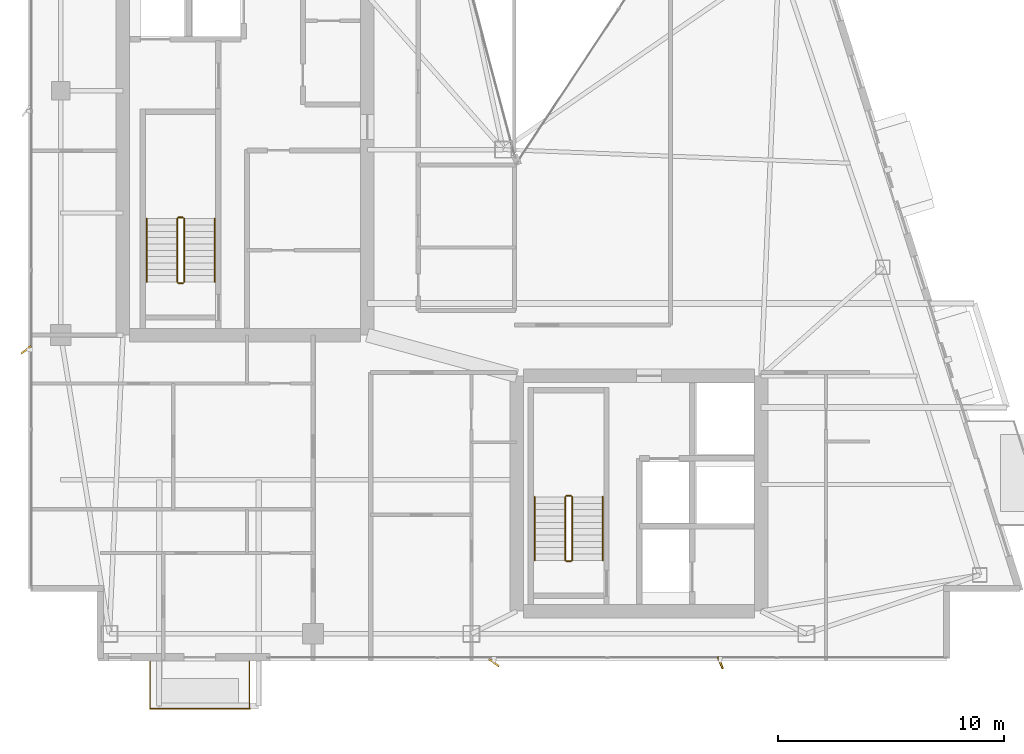
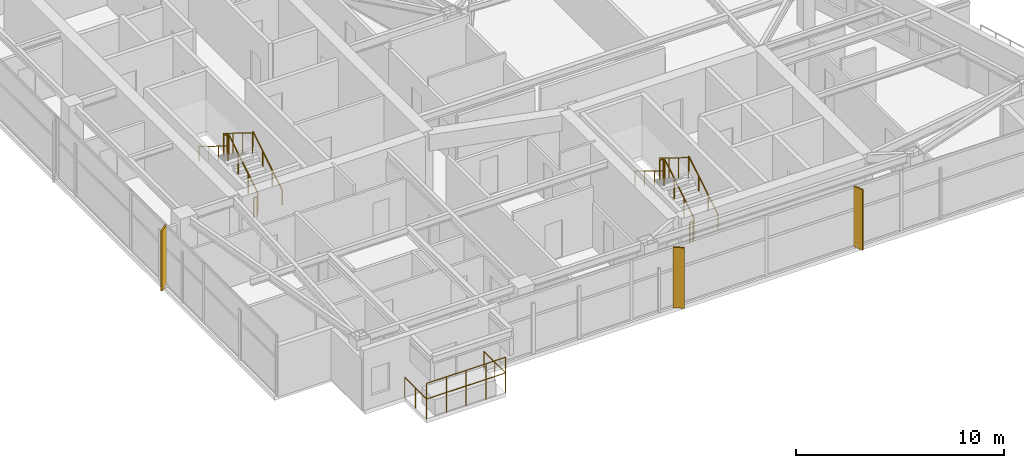
# One storey, part 27 of 28: 14 railings, 3 shading devices.
"""IFC4 building model written with IfcOpenShell, lengths in metres."""

from ifc_helpers import new_model, si_unit, direction, frame, origin, origin_2d, place, context, subcontext, project, spatial, rectangle, circle, extrude, material, type_object, element, save


model = new_model("IFC4")

# Units and contexts
model_context = context("Model", 3, precision=1e-05, world=origin(), true_north=direction((0.0, 1.0)))
body_context = subcontext(model_context, "Body", "Model", "MODEL_VIEW")
ifc_project = project(units=[si_unit("LENGTHUNIT", "METRE"), si_unit("AREAUNIT", "SQUARE_METRE"), si_unit("VOLUMEUNIT", "CUBIC_METRE"), si_unit("PLANEANGLEUNIT", "RADIAN"), si_unit("MASSUNIT", "GRAM", prefix="KILO")], contexts=[model_context])

# Site, building, storey
site_placement = place(None, origin())
site = spatial("IfcSite", under=ifc_project, at=site_placement, CompositionType="ELEMENT")
building_placement = place(site_placement, origin())
building = spatial("IfcBuilding", under=site, at=building_placement, Name="Calvorn Quay Hotel", CompositionType="ELEMENT")
storey_placement = place(building_placement, frame((0.0, 0.0, 267.300048828125)))
storey = spatial("IfcBuildingStorey", under=building, at=storey_placement, Name="L66", CompositionType="ELEMENT", Elevation=267.300048828125)

# Railings
ifc_material_1 = material(Name="Pale Anodised Aluminium and Laminated Glass", Category="aluminium")
railing_type_1 = type_object("IfcRailingType", Name="RLG-BALUSTRADE-1200", PredefinedType="BALUSTRADE", material=ifc_material_1)
railing_1_placement = place(storey_placement, frame((5.39990234375, 2.389892578125, 0.0)))
element("IfcRailing", 1, at=railing_1_placement, inside=storey, type_object=railing_type_1, Name="Tree Balcony Perimeter Balustrade L66-BALC-S", PredefinedType="BALUSTRADE", context=body_context, shape_type="SweptSolid", body=[
    extrude(circle(Radius=0.02392578125, at=origin_2d()), frame((0.0, 0.0, 1.17578125), z_axis=(0.0, -1.0, 0.0), x_axis=(1.0, 0.0, 0.0)), (0.0, 0.0, 1.0), 2.099853515625),
    extrude(circle(Radius=0.02392578125, at=origin_2d()), frame((0.0, -2.099853515625, 1.17578125), z_axis=(1.0, 0.0, 0.0), x_axis=(0.0, 1.0, 0.0)), (0.0, 0.0, 1.0), 4.400146484375),
    extrude(circle(Radius=0.02392578125, at=origin_2d()), frame((4.400146484375, -2.099853515625, 1.17578125), z_axis=(0.0, 1.0, 0.0), x_axis=(-1.0, 0.0, 0.0)), (0.0, 0.0, 1.0), 2.099853515625),
    extrude(circle(Radius=0.02099609375, at=origin_2d()), origin(), (0.0, 0.0, 1.0), 1.15185546875),
    extrude(circle(Radius=0.02099609375, at=origin_2d()), frame((0.0, -1.0498046875, 0.0)), (0.0, 0.0, 1.0), 1.15185546875),
    extrude(circle(Radius=0.02099609375, at=origin_2d()), frame((0.0, -2.099853515625, 0.0)), (0.0, 0.0, 1.0), 1.15185546875),
    extrude(circle(Radius=0.02099609375, at=origin_2d()), frame((1.10009765625, -2.099853515625, 0.0)), (0.0, 0.0, 1.0), 1.15185546875),
    extrude(circle(Radius=0.02099609375, at=origin_2d()), frame((2.2001953125, -2.099853515625, 0.0)), (0.0, 0.0, 1.0), 1.15185546875),
    extrude(circle(Radius=0.02099609375, at=origin_2d()), frame((3.300048828125, -2.099853515625, 0.0)), (0.0, 0.0, 1.0), 1.15185546875),
    extrude(circle(Radius=0.02099609375, at=origin_2d()), frame((4.400146484375, -2.099853515625, 0.0)), (0.0, 0.0, 1.0), 1.15185546875),
    extrude(circle(Radius=0.02099609375, at=origin_2d()), frame((4.400146484375, -1.0498046875, 0.0)), (0.0, 0.0, 1.0), 1.15185546875),
    extrude(circle(Radius=0.02099609375, at=origin_2d()), frame((4.400146484375, 0.0, 0.0)), (0.0, 0.0, 1.0), 1.15185546875),
])
railing_2_placement = place(storey_placement, frame((5.39990234375, 0.2900390625, 0.89990234375)))
element("IfcRailing", 2, at=railing_2_placement, inside=storey, type_object=railing_type_1, Name="Planter Kerb High Safety Screen L66-BALC-S", PredefinedType="BALUSTRADE", context=body_context, shape_type="SweptSolid", body=[
    extrude(circle(Radius=0.02392578125, at=origin_2d()), frame((0.0, 0.0, 1.19580078125), z_axis=(1.0, 0.0, 0.0), x_axis=(0.0, 1.0, 0.0)), (0.0, 0.0, 1.0), 4.400146484375),
    extrude(circle(Radius=0.02099609375, at=origin_2d()), origin(), (0.0, 0.0, 1.0), 1.171875),
    extrude(circle(Radius=0.02099609375, at=origin_2d()), frame((1.10009765625, 0.0, 0.0)), (0.0, 0.0, 1.0), 1.171875),
    extrude(circle(Radius=0.02099609375, at=origin_2d()), frame((2.2001953125, 0.0, 0.0)), (0.0, 0.0, 1.0), 1.171875),
    extrude(circle(Radius=0.02099609375, at=origin_2d()), frame((3.300048828125, 0.0, 0.0)), (0.0, 0.0, 1.0), 1.171875),
    extrude(circle(Radius=0.02099609375, at=origin_2d()), frame((4.400146484375, 0.0, 0.0)), (0.0, 0.0, 1.0), 1.171875),
])
ifc_material_2 = material(Name="Brushed Stainless Steel Handrail", Category="steel")
railing_type_2 = type_object("IfcRailingType", Name="RLG-HANDRAIL-900", PredefinedType="HANDRAIL", material=ifc_material_2)
railing_3_placement = place(storey_placement, frame((8.25, 19.14990234375, 0.172607421875)))
element("IfcRailing", 3, at=railing_3_placement, inside=storey, type_object=railing_type_2, Name="L66 ST-W stair handrail 1", PredefinedType="HANDRAIL", context=body_context, shape_type="SweptSolid", body=[
    extrude(circle(Radius=0.02392578125, at=origin_2d()), frame((0.0, 0.0, 0.8759765625), z_axis=(0.0, 0.851089632645, 0.525020415988), x_axis=(-1.0, 0.0, 0.0)), (0.0, 0.0, 1.0), 3.2900390625),
    extrude(circle(Radius=0.02099609375, at=origin_2d()), origin(), (0.0, 0.0, 1.0), 0.851806640625),
    extrude(circle(Radius=0.02099609375, at=origin_2d()), frame((0.0, 0.933349609375, 0.57568359375)), (0.0, 0.0, 1.0), 0.851806640625),
    extrude(circle(Radius=0.02099609375, at=origin_2d()), frame((0.0, 1.86669921875, 1.151611328125)), (0.0, 0.0, 1.0), 0.851806640625),
    extrude(circle(Radius=0.02099609375, at=origin_2d()), frame((0.0, 2.800048828125, 1.727294921875)), (0.0, 0.0, 1.0), 0.851806640625),
])
railing_4_placement = place(storey_placement, frame((5.25, 21.949951171875, 2.07275390625)))
element("IfcRailing", 4, at=railing_4_placement, inside=storey, type_object=railing_type_2, Name="L66 ST-W stair handrail 2", PredefinedType="HANDRAIL", context=body_context, shape_type="SweptSolid", body=[
    extrude(circle(Radius=0.02392578125, at=origin_2d()), frame((0.0, 0.0, 0.8759765625), z_axis=(0.0, -0.851089632645, 0.525020415988), x_axis=(1.0, 0.0, 0.0)), (0.0, 0.0, 1.0), 3.2900390625),
    extrude(circle(Radius=0.02099609375, at=origin_2d()), origin(), (0.0, 0.0, 1.0), 0.851806640625),
    extrude(circle(Radius=0.02099609375, at=origin_2d()), frame((0.0, -0.933349609375, 0.57568359375)), (0.0, 0.0, 1.0), 0.851806640625),
    extrude(circle(Radius=0.02099609375, at=origin_2d()), frame((0.0, -1.86669921875, 1.151611328125)), (0.0, 0.0, 1.0), 0.851806640625),
    extrude(circle(Radius=0.02099609375, at=origin_2d()), frame((0.0, -2.800048828125, 1.727294921875)), (0.0, 0.0, 1.0), 0.851806640625),
])
railing_5_placement = place(storey_placement, frame((25.39990234375, 6.85009765625, 0.172607421875)))
element("IfcRailing", 5, at=railing_5_placement, inside=storey, type_object=railing_type_2, Name="L66 ST-E stair handrail 1", PredefinedType="HANDRAIL", context=body_context, shape_type="SweptSolid", body=[
    extrude(circle(Radius=0.02392578125, at=origin_2d()), frame((0.0, 0.0, 0.8759765625), z_axis=(0.0, 0.851069175582, 0.525053576669), x_axis=(-1.0, 0.0, 0.0)), (0.0, 0.0, 1.0), 3.289794921875),
    extrude(circle(Radius=0.02099609375, at=origin_2d()), origin(), (0.0, 0.0, 1.0), 0.851806640625),
    extrude(circle(Radius=0.02099609375, at=origin_2d()), frame((0.0, 0.933349609375, 0.57568359375)), (0.0, 0.0, 1.0), 0.851806640625),
    extrude(circle(Radius=0.02099609375, at=origin_2d()), frame((0.0, 1.866455078125, 1.151611328125)), (0.0, 0.0, 1.0), 0.851806640625),
    extrude(circle(Radius=0.02099609375, at=origin_2d()), frame((0.0, 2.7998046875, 1.727294921875)), (0.0, 0.0, 1.0), 0.851806640625),
])
railing_6_placement = place(storey_placement, frame((22.39990234375, 9.64990234375, 2.07275390625)))
element("IfcRailing", 6, at=railing_6_placement, inside=storey, type_object=railing_type_2, Name="L66 ST-E stair handrail 2", PredefinedType="HANDRAIL", context=body_context, shape_type="SweptSolid", body=[
    extrude(circle(Radius=0.02392578125, at=origin_2d()), frame((0.0, 0.0, 0.8759765625), z_axis=(0.0, -0.851069175582, 0.525053576669), x_axis=(1.0, 0.0, 0.0)), (0.0, 0.0, 1.0), 3.289794921875),
    extrude(circle(Radius=0.02099609375, at=origin_2d()), origin(), (0.0, 0.0, 1.0), 0.851806640625),
    extrude(circle(Radius=0.02099609375, at=origin_2d()), frame((0.0, -0.933349609375, 0.57568359375)), (0.0, 0.0, 1.0), 0.851806640625),
    extrude(circle(Radius=0.02099609375, at=origin_2d()), frame((0.0, -1.866455078125, 1.151611328125)), (0.0, 0.0, 1.0), 0.851806640625),
    extrude(circle(Radius=0.02099609375, at=origin_2d()), frame((0.0, -2.7998046875, 1.727294921875)), (0.0, 0.0, 1.0), 0.851806640625),
])
ifc_material_3 = material(Name="Painted Galvanised Steel Balustrade", Category="steel")
railing_type_3 = type_object("IfcRailingType", Name="RLG-STAIR-GUARD-1120", PredefinedType="GUARDRAIL", material=ifc_material_3)
railing_7_placement = place(storey_placement, frame((6.89990234375, 19.14990234375, 0.172607421875)))
element("IfcRailing", 7, at=railing_7_placement, inside=storey, type_object=railing_type_3, Name="L66 ST-W stair guard 1", PredefinedType="GUARDRAIL", context=body_context, shape_type="SweptSolid", body=[
    extrude(circle(Radius=0.02392578125, at=origin_2d()), frame((0.0, 0.0, 1.17578125), z_axis=(0.0, 0.851089632645, 0.525020415988), x_axis=(-1.0, 0.0, 0.0)), (0.0, 0.0, 1.0), 3.2900390625),
    extrude(circle(Radius=0.02099609375, at=origin_2d()), origin(), (0.0, 0.0, 1.0), 1.15185546875),
    extrude(circle(Radius=0.02099609375, at=origin_2d()), frame((0.0, 0.933349609375, 0.57568359375)), (0.0, 0.0, 1.0), 1.15185546875),
    extrude(circle(Radius=0.02099609375, at=origin_2d()), frame((0.0, 1.86669921875, 1.151611328125)), (0.0, 0.0, 1.0), 1.15185546875),
    extrude(circle(Radius=0.02099609375, at=origin_2d()), frame((0.0, 2.800048828125, 1.727294921875)), (0.0, 0.0, 1.0), 1.15185546875),
])
railing_8_placement = place(storey_placement, frame((6.85009765625, 22.0, 1.89990234375)))
element("IfcRailing", 8, at=railing_8_placement, inside=storey, type_object=railing_type_3, Name="L66 ST-W stair guard 2", PredefinedType="GUARDRAIL", context=body_context, shape_type="SweptSolid", body=[
    extrude(circle(Radius=0.02392578125, at=origin_2d()), frame((0.0, 0.0, 1.17578125), z_axis=(-1.0, 0.0, 0.0), x_axis=(0.0, -1.0, 0.0)), (0.0, 0.0, 1.0), 0.2001953125),
    extrude(circle(Radius=0.02099609375, at=origin_2d()), origin(), (0.0, 0.0, 1.0), 1.15185546875),
    extrude(circle(Radius=0.02099609375, at=origin_2d()), frame((-0.2001953125, 0.0, 0.0)), (0.0, 0.0, 1.0), 1.15185546875),
])
railing_9_placement = place(storey_placement, frame((6.60009765625, 21.949951171875, 2.07275390625)))
element("IfcRailing", 9, at=railing_9_placement, inside=storey, type_object=railing_type_3, Name="L66 ST-W stair guard 3", PredefinedType="GUARDRAIL", context=body_context, shape_type="SweptSolid", body=[
    extrude(circle(Radius=0.02392578125, at=origin_2d()), frame((0.0, 0.0, 1.17578125), z_axis=(0.0, -0.851089632645, 0.525020415988), x_axis=(1.0, 0.0, 0.0)), (0.0, 0.0, 1.0), 3.2900390625),
    extrude(circle(Radius=0.02099609375, at=origin_2d()), origin(), (0.0, 0.0, 1.0), 1.15185546875),
    extrude(circle(Radius=0.02099609375, at=origin_2d()), frame((0.0, -0.933349609375, 0.57568359375)), (0.0, 0.0, 1.0), 1.15185546875),
    extrude(circle(Radius=0.02099609375, at=origin_2d()), frame((0.0, -1.86669921875, 1.151611328125)), (0.0, 0.0, 1.0), 1.15185546875),
    extrude(circle(Radius=0.02099609375, at=origin_2d()), frame((0.0, -2.800048828125, 1.727294921875)), (0.0, 0.0, 1.0), 1.15185546875),
])
railing_10_placement = place(storey_placement, frame((6.85009765625, 19.10009765625, 0.0)))
element("IfcRailing", 10, at=railing_10_placement, inside=storey, type_object=railing_type_3, Name="L66 ST-W stair guard 4", PredefinedType="GUARDRAIL", context=body_context, shape_type="SweptSolid", body=[
    extrude(circle(Radius=0.02392578125, at=origin_2d()), frame((0.0, 0.0, 1.17578125), z_axis=(-1.0, 0.0, 0.0), x_axis=(0.0, -1.0, 0.0)), (0.0, 0.0, 1.0), 0.2001953125),
    extrude(circle(Radius=0.02099609375, at=origin_2d()), origin(), (0.0, 0.0, 1.0), 1.15185546875),
    extrude(circle(Radius=0.02099609375, at=origin_2d()), frame((-0.2001953125, 0.0, 0.0)), (0.0, 0.0, 1.0), 1.15185546875),
])
railing_11_placement = place(storey_placement, frame((24.050048828125, 6.85009765625, 0.172607421875)))
element("IfcRailing", 11, at=railing_11_placement, inside=storey, type_object=railing_type_3, Name="L66 ST-E stair guard 1", PredefinedType="GUARDRAIL", context=body_context, shape_type="SweptSolid", body=[
    extrude(circle(Radius=0.02392578125, at=origin_2d()), frame((0.0, 0.0, 1.17578125), z_axis=(0.0, 0.851069175582, 0.525053576669), x_axis=(-1.0, 0.0, 0.0)), (0.0, 0.0, 1.0), 3.289794921875),
    extrude(circle(Radius=0.02099609375, at=origin_2d()), origin(), (0.0, 0.0, 1.0), 1.15185546875),
    extrude(circle(Radius=0.02099609375, at=origin_2d()), frame((0.0, 0.933349609375, 0.57568359375)), (0.0, 0.0, 1.0), 1.15185546875),
    extrude(circle(Radius=0.02099609375, at=origin_2d()), frame((0.0, 1.866455078125, 1.151611328125)), (0.0, 0.0, 1.0), 1.15185546875),
    extrude(circle(Radius=0.02099609375, at=origin_2d()), frame((0.0, 2.7998046875, 1.727294921875)), (0.0, 0.0, 1.0), 1.15185546875),
])
railing_12_placement = place(storey_placement, frame((24.0, 9.699951171875, 1.89990234375)))
element("IfcRailing", 12, at=railing_12_placement, inside=storey, type_object=railing_type_3, Name="L66 ST-E stair guard 2", PredefinedType="GUARDRAIL", context=body_context, shape_type="SweptSolid", body=[
    extrude(circle(Radius=0.02392578125, at=origin_2d()), frame((0.0, 0.0, 1.17578125), z_axis=(-1.0, 0.0, 0.0), x_axis=(0.0, -1.0, 0.0)), (0.0, 0.0, 1.0), 0.199951171875),
    extrude(circle(Radius=0.02099609375, at=origin_2d()), origin(), (0.0, 0.0, 1.0), 1.15185546875),
    extrude(circle(Radius=0.02099609375, at=origin_2d()), frame((-0.199951171875, 0.0, 0.0)), (0.0, 0.0, 1.0), 1.15185546875),
])
railing_13_placement = place(storey_placement, frame((23.75, 9.64990234375, 2.07275390625)))
element("IfcRailing", 13, at=railing_13_placement, inside=storey, type_object=railing_type_3, Name="L66 ST-E stair guard 3", PredefinedType="GUARDRAIL", context=body_context, shape_type="SweptSolid", body=[
    extrude(circle(Radius=0.02392578125, at=origin_2d()), frame((0.0, 0.0, 1.17578125), z_axis=(0.0, -0.851069175582, 0.525053576669), x_axis=(1.0, 0.0, 0.0)), (0.0, 0.0, 1.0), 3.289794921875),
    extrude(circle(Radius=0.02099609375, at=origin_2d()), origin(), (0.0, 0.0, 1.0), 1.15185546875),
    extrude(circle(Radius=0.02099609375, at=origin_2d()), frame((0.0, -0.933349609375, 0.57568359375)), (0.0, 0.0, 1.0), 1.15185546875),
    extrude(circle(Radius=0.02099609375, at=origin_2d()), frame((0.0, -1.866455078125, 1.151611328125)), (0.0, 0.0, 1.0), 1.15185546875),
    extrude(circle(Radius=0.02099609375, at=origin_2d()), frame((0.0, -2.7998046875, 1.727294921875)), (0.0, 0.0, 1.0), 1.15185546875),
])
railing_14_placement = place(storey_placement, frame((24.0, 6.800048828125, 0.0)))
element("IfcRailing", 14, at=railing_14_placement, inside=storey, type_object=railing_type_3, Name="L66 ST-E stair guard 4", PredefinedType="GUARDRAIL", context=body_context, shape_type="SweptSolid", body=[
    extrude(circle(Radius=0.02392578125, at=origin_2d()), frame((0.0, 0.0, 1.17578125), z_axis=(-1.0, 0.0, 0.0), x_axis=(0.0, -1.0, 0.0)), (0.0, 0.0, 1.0), 0.199951171875),
    extrude(circle(Radius=0.02099609375, at=origin_2d()), origin(), (0.0, 0.0, 1.0), 1.15185546875),
    extrude(circle(Radius=0.02099609375, at=origin_2d()), frame((-0.199951171875, 0.0, 0.0)), (0.0, 0.0, 1.0), 1.15185546875),
])

# Shading devices
ifc_material_4 = material(Name="Champagne Bronze Anodised Aluminium 6063-T6", Category="aluminium")
shading_device_type_1 = type_object("IfcShadingDeviceType", Name="SHD-FIN-A1", PredefinedType="USERDEFINED", material=ifc_material_4)
shading_device_1_placement = place(storey_placement, frame((30.60009765625, 2.320068359375, 0.0), z_axis=(0.0, 0.0, 1.0), x_axis=(-0.374606593416, 0.927183854567, 0.0)))
element("IfcShadingDevice", 15, at=shading_device_1_placement, inside=storey, type_object=shading_device_type_1, Name="Diagonal Sun-Shading Fin L66-S02", ObjectType="FIN", PredefinedType="USERDEFINED", context=body_context, shape_type="SweptSolid", body=[
    extrude(rectangle(XDim=0.550048828125, YDim=0.080078125, at=origin_2d()), origin(), (0.0, 0.0, 1.0), 3.56005859375),
])
ifc_material_5 = material(Name="Champagne Bronze Anodised Aluminium 6063-T6", Category="aluminium")
shading_device_type_2 = type_object("IfcShadingDeviceType", Name="SHD-FIN-A2", PredefinedType="USERDEFINED", material=ifc_material_5)
shading_device_2_placement = place(storey_placement, frame((-0.080078125, 16.14990234375, 0.0), z_axis=(0.0, 0.0, 1.0), x_axis=(0.788010753607, 0.615661475326, 0.0)))
element("IfcShadingDevice", 16, at=shading_device_2_placement, inside=storey, type_object=shading_device_type_2, Name="Diagonal Sun-Shading Fin L66-W01", ObjectType="FIN", PredefinedType="USERDEFINED", context=body_context, shape_type="SweptSolid", body=[
    extrude(rectangle(XDim=0.550048828125, YDim=0.080078125, at=origin_2d()), origin(), (0.0, 0.0, 1.0), 3.56005859375),
])
ifc_material_6 = material(Name="Champagne Bronze Anodised Aluminium 6063-T6", Category="aluminium")
shading_device_type_3 = type_object("IfcShadingDeviceType", Name="SHD-FIN-A3", PredefinedType="USERDEFINED", material=ifc_material_6)
shading_device_3_placement = place(storey_placement, frame((20.60009765625, 2.320068359375, 0.0), z_axis=(0.0, 0.0, 1.0), x_axis=(-0.809016994375, 0.587785252292, 0.0)))
element("IfcShadingDevice", 17, at=shading_device_3_placement, inside=storey, type_object=shading_device_type_3, Name="Diagonal Sun-Shading Fin L66-S01", ObjectType="FIN", PredefinedType="USERDEFINED", context=body_context, shape_type="SweptSolid", body=[
    extrude(rectangle(XDim=0.550048828125, YDim=0.080078125, at=origin_2d()), origin(), (0.0, 0.0, 1.0), 3.56005859375),
])

save(model, "model.ifc")
